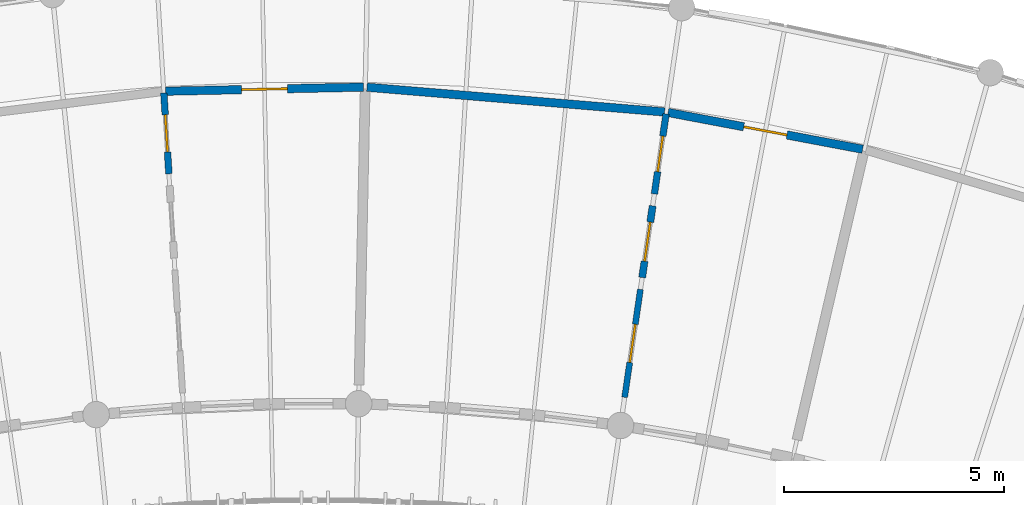
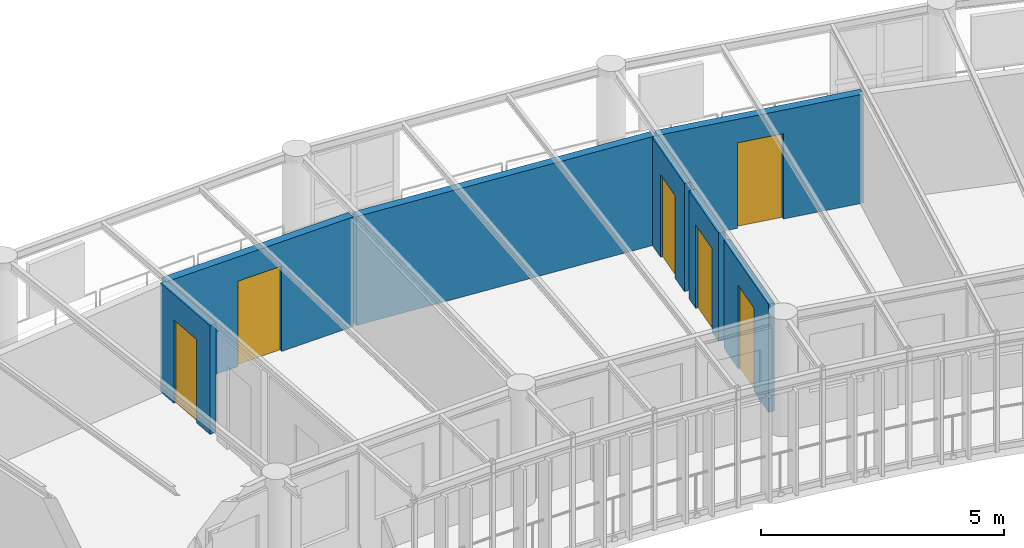
# One storey, part 74 of 100: 7 walls, 6 doors, 6 openings.
"""IFC4 building model written with IfcOpenShell, lengths in metres."""

from ifc_helpers import new_model, si_unit, direction, frame, frame_2d, origin, place, context, subcontext, project, spatial, rectangle, extrude, material, layer, layer_set, type_object, element, fill, save


model = new_model("IFC4")

# Units and contexts
model_context = context("Model", 3, precision=1e-05, world=origin(), true_north=direction((0.0, 1.0)))
body_context = subcontext(model_context, "Body", "Model", "MODEL_VIEW")
ifc_project = project(units=[si_unit("LENGTHUNIT", "METRE"), si_unit("AREAUNIT", "SQUARE_METRE"), si_unit("VOLUMEUNIT", "CUBIC_METRE"), si_unit("PLANEANGLEUNIT", "RADIAN"), si_unit("MASSUNIT", "GRAM", prefix="KILO"), si_unit("POWERUNIT", "WATT"), si_unit("THERMODYNAMICTEMPERATUREUNIT", "KELVIN")], contexts=[model_context])

# Site, building, storey
site_placement = place(None, origin())
site = spatial("IfcSite", under=ifc_project, at=site_placement, CompositionType="ELEMENT")
building_placement = place(site_placement, origin())
building = spatial("IfcBuilding", under=site, at=building_placement, Name="Ruvembo Vaulted Housing Court", CompositionType="ELEMENT")
storey_placement = place(building_placement, frame((0.0, 0.0, 14.10009765625)))
storey = spatial("IfcBuildingStorey", under=building, at=storey_placement, Name="L04", CompositionType="ELEMENT", Elevation=14.10009765625)

# Wall, opening, door
ifc_material_1 = material(Name="Concrete Blockwork 190", Category="masonry")
ifc_layer_1 = layer(ifc_material_1, 0.18994140625, Name="Concrete Blockwork 190")
ifc_layer_set_1 = layer_set([ifc_layer_1], Name="Concrete Blockwork 190")
wall_type_1 = type_object("IfcWallType", Name="WL-CORR-190", PredefinedType="SOLIDWALL", material=ifc_layer_set_1)
wall_1_placement = place(storey_placement, frame((113.605224609375, 105.093994140625, 0.0), z_axis=(0.0, 0.0, 1.0), x_axis=(0.999785356511, 0.020718129879, 0.0)))
wall_1 = element("IfcWall", 1, at=wall_1_placement, inside=storey, type_object=wall_type_1, Name="L04 Suite SC3-L04-U3 Entrance WL-INT-L04-01358", PredefinedType="SOLIDWALL", context=body_context, shape_type="SweptSolid", body=[
    extrude(rectangle(XDim=4.50146484375, YDim=0.18994140625, at=frame_2d((2.250732421875, 0.0))), origin(), (0.0, 0.0, 1.0), 2.761962890625),
])
opening_1_placement = place(wall_1_placement, frame((1.7255859375, 0.0, 0.0)))
opening_1 = element("IfcOpeningElement", 2, at=opening_1_placement, cuts=wall_1, Name="Opening FD3", PredefinedType="OPENING", context=body_context, shape_type="SweptSolid", body=[
    extrude(rectangle(XDim=1.050048828125, YDim=2.14990234375, at=frame_2d((0.52490234375, 1.074951171875))), frame((0.0, 0.10498046875, 0.0), z_axis=(0.0, -1.0, 0.0), x_axis=(1.0, 0.0, 0.0)), (0.0, 0.0, 1.0), 0.2099609375),
])
ifc_material_2 = material(Name="FSC Hardwood and Engineered Timber", Category="wood")
door_type_1 = type_object("IfcDoorType", Name="DR-FLAT-1050x2150", OperationType="NOTDEFINED", PredefinedType="DOOR", material=ifc_material_2)
door_1_placement = place(opening_1_placement, origin())
door_1 = element("IfcDoor", 3, at=door_1_placement, inside=storey, type_object=door_type_1, Name="L04 Suite SC3-L04-U3 Entrance Door DR-INT-L04-00764", OperationType="SINGLE_SWING_RIGHT", OverallHeight=2.14990234375, OverallWidth=1.050048828125, PredefinedType="DOOR", context=body_context, shape_type="SweptSolid", body=[
    extrude(rectangle(XDim=1.050048828125, YDim=2.14990234375, at=frame_2d((0.52490234375, 1.074951171875))), frame((0.0, 0.02490234375, 0.0), z_axis=(0.0, -1.0, 0.0), x_axis=(1.0, 0.0, 0.0)), (0.0, 0.0, 1.0), 0.050048828125),
])
fill(opening_1, door_1)

# Wall
wall_2_placement = place(storey_placement, frame((118.185546875, 105.184814453125, 0.0), z_axis=(0.0, 0.0, 1.0), x_axis=(0.996556165996, -0.082920492126, 0.0)))
element("IfcWall", 4, at=wall_2_placement, inside=storey, type_object=wall_type_1, Name="L04 Suite SC3-L04-U4 Gallery Wall WL-INT-L04-01363", PredefinedType="SOLIDWALL", context=body_context, shape_type="SweptSolid", body=[
    extrude(rectangle(XDim=6.78955078125, YDim=0.18994140625, at=frame_2d((3.394775390625, 0.0))), origin(), (0.0, 0.0, 1.0), 2.741943359375),
])

# Wall, opening, door
wall_3_placement = place(storey_placement, frame((125.031005859375, 104.611083984375, 0.0), z_axis=(0.0, 0.0, 1.0), x_axis=(0.982595404078, -0.18575863879, 0.0)))
wall_3 = element("IfcWall", 5, at=wall_3_placement, inside=storey, type_object=wall_type_1, Name="L04 Suite SC3-L04-U4 Entrance WL-INT-L04-01364", PredefinedType="SOLIDWALL", context=body_context, shape_type="SweptSolid", body=[
    extrude(rectangle(XDim=4.50146484375, YDim=0.18994140625, at=frame_2d((2.250732421875, 0.0))), origin(), (0.0, 0.0, 1.0), 2.741943359375),
])
opening_2_placement = place(wall_3_placement, frame((1.750732421875, 0.0, 0.0)))
opening_2 = element("IfcOpeningElement", 6, at=opening_2_placement, cuts=wall_3, Name="Opening FD1", PredefinedType="OPENING", context=body_context, shape_type="SweptSolid", body=[
    extrude(rectangle(XDim=1.0, YDim=2.14990234375, at=frame_2d((0.5, 1.074951171875))), frame((0.0, 0.10498046875, 0.0), z_axis=(0.0, -1.0, 0.0), x_axis=(1.0, 0.0, 0.0)), (0.0, 0.0, 1.0), 0.2099609375),
])
door_type_2 = type_object("IfcDoorType", Name="DR-FLAT-1000x2150", OperationType="NOTDEFINED", PredefinedType="DOOR", material=ifc_material_2)
door_2_placement = place(opening_2_placement, origin())
door_2 = element("IfcDoor", 7, at=door_2_placement, inside=storey, type_object=door_type_2, Name="L04 Suite SC3-L04-U4 Entrance Door DR-INT-L04-00768", OperationType="SINGLE_SWING_RIGHT", OverallHeight=2.14990234375, OverallWidth=1.0, PredefinedType="DOOR", context=body_context, shape_type="SweptSolid", body=[
    extrude(rectangle(XDim=1.0, YDim=2.14990234375, at=frame_2d((0.5, 1.074951171875))), frame((0.0, 0.02490234375, 0.0), z_axis=(0.0, -1.0, 0.0), x_axis=(1.0, 0.0, 0.0)), (0.0, 0.0, 1.0), 0.050048828125),
])
fill(opening_2, door_2)

ifc_material_3 = material(Name="Acoustic Stud Partition 135", Category="gypsum")
ifc_layer_2 = layer(ifc_material_3, 0.135009765625, Name="Acoustic Stud Partition 135")
ifc_layer_set_2 = layer_set([ifc_layer_2], Name="Acoustic Stud Partition 135")
wall_type_2 = type_object("IfcWallType", Name="WL-PART-135", PredefinedType="PARTITIONING", material=ifc_layer_set_2)
wall_4_placement = place(storey_placement, frame((124.043212890625, 98.135498046875, 0.0), z_axis=(0.0, 0.0, 1.0), x_axis=(0.1447145522, 0.989473445011, 0.0)))
wall_4 = element("IfcWall", 8, at=wall_4_placement, inside=storey, type_object=wall_type_2, Name="L04 Suite SC3-L04-U4 Bedroom WL-INT-L04-01365", PredefinedType="PARTITIONING", context=body_context, shape_type="SweptSolid", body=[
    extrude(rectangle(XDim=2.47998046875, YDim=0.135009765625, at=frame_2d((1.239990234375, 0.0))), origin(), (0.0, 0.0, 1.0), 2.721923828125),
])
opening_3_placement = place(wall_4_placement, frame((0.800048828125, 0.0, 0.0)))
opening_3 = element("IfcOpeningElement", 9, at=opening_3_placement, cuts=wall_4, Name="Opening ID3", PredefinedType="OPENING", context=body_context, shape_type="SweptSolid", body=[
    extrude(rectangle(XDim=0.8798828125, YDim=2.10009765625, at=frame_2d((0.43994140625, 1.050048828125))), frame((0.0, 0.077392578125, 0.0), z_axis=(0.0, -1.0, 0.0), x_axis=(1.0, 0.0, 0.0)), (0.0, 0.0, 1.0), 0.155029296875),
])
door_type_3 = type_object("IfcDoorType", Name="DR-ROOM-0880x2100", OperationType="NOTDEFINED", PredefinedType="DOOR", material=ifc_material_2)
door_3_placement = place(opening_3_placement, origin())
door_3 = element("IfcDoor", 10, at=door_3_placement, inside=storey, type_object=door_type_3, Name="L04 Suite SC3-L04-U4 Bedroom Door DR-INT-L04-00769", OperationType="SINGLE_SWING_LEFT", OverallHeight=2.10009765625, OverallWidth=0.8798828125, PredefinedType="DOOR", context=body_context, shape_type="SweptSolid", body=[
    extrude(rectangle(XDim=0.8798828125, YDim=2.10009765625, at=frame_2d((0.43994140625, 1.050048828125))), frame((0.0, 0.02490234375, 0.0), z_axis=(0.0, -1.0, 0.0), x_axis=(1.0, 0.0, 0.0)), (0.0, 0.0, 1.0), 0.050048828125),
])
fill(opening_3, door_3)

ifc_material_4 = material(Name="Moisture-Resistant Wet Partition 150", Category="gypsum")
ifc_layer_3 = layer(ifc_material_4, 0.14990234375, Name="Moisture-Resistant Wet Partition 150")
ifc_layer_set_3 = layer_set([ifc_layer_3], Name="Moisture-Resistant Wet Partition 150")
wall_type_3 = type_object("IfcWallType", Name="WL-PART-150", PredefinedType="PARTITIONING", material=ifc_layer_set_3)
wall_5_placement = place(storey_placement, frame((113.68212890625, 103.216796875, 0.0), z_axis=(0.0, 0.0, 1.0), x_axis=(-0.062229594869, 0.998061860569, 0.0)))
wall_5 = element("IfcWall", 11, at=wall_5_placement, inside=storey, type_object=wall_type_3, Name="L04 Suite SC3-L04-U3 Bathroom WL-INT-L04-01361", PredefinedType="PARTITIONING", context=body_context, shape_type="SweptSolid", body=[
    extrude(rectangle(XDim=1.840087890625, YDim=0.14990234375, at=frame_2d((0.919921875, 0.0))), origin(), (0.0, 0.0, 1.0), 2.741943359375),
])
opening_4_placement = place(wall_5_placement, frame((0.4951171875, 0.0, 0.0)))
opening_4 = element("IfcOpeningElement", 12, at=opening_4_placement, cuts=wall_5, Name="Opening ID2", PredefinedType="OPENING", context=body_context, shape_type="SweptSolid", body=[
    extrude(rectangle(XDim=0.85009765625, YDim=2.10009765625, at=frame_2d((0.425048828125, 1.050048828125))), frame((0.0, 0.0849609375, 0.0), z_axis=(0.0, -1.0, 0.0), x_axis=(1.0, 0.0, 0.0)), (0.0, 0.0, 1.0), 0.169921875),
])
door_type_4 = type_object("IfcDoorType", Name="DR-WET-0850x2100", OperationType="NOTDEFINED", PredefinedType="DOOR", material=ifc_material_2)
door_4_placement = place(opening_4_placement, origin())
door_4 = element("IfcDoor", 13, at=door_4_placement, inside=storey, type_object=door_type_4, Name="L04 Suite SC3-L04-U3 Bathroom Door DR-INT-L04-00767", OperationType="SINGLE_SWING_LEFT", OverallHeight=2.10009765625, OverallWidth=0.85009765625, PredefinedType="DOOR", context=body_context, shape_type="SweptSolid", body=[
    extrude(rectangle(XDim=0.85009765625, YDim=2.10009765625, at=frame_2d((0.425048828125, 1.050048828125))), frame((0.0, 0.02490234375, 0.0), z_axis=(0.0, -1.0, 0.0), x_axis=(1.0, 0.0, 0.0)), (0.0, 0.0, 1.0), 0.050048828125),
])
fill(opening_4, door_4)

wall_6_placement = place(storey_placement, frame((124.719482421875, 102.75830078125, 0.0), z_axis=(0.0, 0.0, 1.0), x_axis=(0.144764326796, 0.989466163993, 0.0)))
wall_6 = element("IfcWall", 14, at=wall_6_placement, inside=storey, type_object=wall_type_3, Name="L04 Suite SC3-L04-U4 Bathroom WL-INT-L04-01367", PredefinedType="PARTITIONING", context=body_context, shape_type="SweptSolid", body=[
    extrude(rectangle(XDim=1.83984375, YDim=0.14990234375, at=frame_2d((0.919921875, 0.0))), origin(), (0.0, 0.0, 1.0), 2.721923828125),
])
opening_5_placement = place(wall_6_placement, frame((0.510009765625, 0.0, 0.0)))
opening_5 = element("IfcOpeningElement", 15, at=opening_5_placement, cuts=wall_6, Name="Opening ID4", PredefinedType="OPENING", context=body_context, shape_type="SweptSolid", body=[
    extrude(rectangle(XDim=0.820068359375, YDim=2.080078125, at=frame_2d((0.41015625, 1.0400390625))), frame((0.0, 0.0849609375, 0.0), z_axis=(0.0, -1.0, 0.0), x_axis=(1.0, 0.0, 0.0)), (0.0, 0.0, 1.0), 0.169921875),
])
door_type_5 = type_object("IfcDoorType", Name="DR-WET-0820x2080", OperationType="NOTDEFINED", PredefinedType="DOOR", material=ifc_material_2)
door_5_placement = place(opening_5_placement, origin())
door_5 = element("IfcDoor", 16, at=door_5_placement, inside=storey, type_object=door_type_5, Name="L04 Suite SC3-L04-U4 Bathroom Door DR-INT-L04-00771", OperationType="SINGLE_SWING_LEFT", OverallHeight=2.080078125, OverallWidth=0.820068359375, PredefinedType="DOOR", context=body_context, shape_type="SweptSolid", body=[
    extrude(rectangle(XDim=0.820068359375, YDim=2.080078125, at=frame_2d((0.41015625, 1.0400390625))), frame((0.0, 0.02490234375, 0.0), z_axis=(0.0, -1.0, 0.0), x_axis=(1.0, 0.0, 0.0)), (0.0, 0.0, 1.0), 0.050048828125),
])
fill(opening_5, door_5)

ifc_material_5 = material(Name="Acoustic Service Chase Wall 160", Category="gypsum")
ifc_layer_4 = layer(ifc_material_5, 0.159912109375, Name="Acoustic Service Chase Wall 160")
ifc_layer_set_4 = layer_set([ifc_layer_4], Name="Acoustic Service Chase Wall 160")
wall_type_4 = type_object("IfcWallType", Name="WL-PLUMB-160", PredefinedType="PLUMBINGWALL", material=ifc_layer_set_4)
wall_7_placement = place(storey_placement, frame((124.44140625, 100.8583984375, 0.0), z_axis=(0.0, 0.0, 1.0), x_axis=(0.144884079374, 0.989448636132, 0.0)))
wall_7 = element("IfcWall", 17, at=wall_7_placement, inside=storey, type_object=wall_type_4, Name="L04 Suite SC3-L04-U4 Kitchen WL-INT-L04-01366", PredefinedType="PLUMBINGWALL", context=body_context, shape_type="SweptSolid", body=[
    extrude(rectangle(XDim=1.64794921875, YDim=0.159912109375, at=frame_2d((0.823974609375, 0.0))), origin(), (0.0, 0.0, 1.0), 2.721923828125),
])
opening_6_placement = place(wall_7_placement, frame((0.3740234375, 0.0, 0.0)))
opening_6 = element("IfcOpeningElement", 18, at=opening_6_placement, cuts=wall_7, Name="Opening ID1", PredefinedType="OPENING", context=body_context, shape_type="SweptSolid", body=[
    extrude(rectangle(XDim=0.89990234375, YDim=2.10009765625, at=frame_2d((0.449951171875, 1.050048828125))), frame((0.0, 0.08984375, 0.0), z_axis=(0.0, -1.0, 0.0), x_axis=(1.0, 0.0, 0.0)), (0.0, 0.0, 1.0), 0.179931640625),
])
door_type_6 = type_object("IfcDoorType", Name="DR-ROOM-0900x2100", OperationType="NOTDEFINED", PredefinedType="DOOR", material=ifc_material_2)
door_6_placement = place(opening_6_placement, origin())
door_6 = element("IfcDoor", 19, at=door_6_placement, inside=storey, type_object=door_type_6, Name="L04 Suite SC3-L04-U4 Kitchen Door DR-INT-L04-00770", OperationType="SINGLE_SWING_RIGHT", OverallHeight=2.10009765625, OverallWidth=0.89990234375, PredefinedType="DOOR", context=body_context, shape_type="SweptSolid", body=[
    extrude(rectangle(XDim=0.89990234375, YDim=2.10009765625, at=frame_2d((0.449951171875, 1.050048828125))), frame((0.0, 0.02490234375, 0.0), z_axis=(0.0, -1.0, 0.0), x_axis=(1.0, 0.0, 0.0)), (0.0, 0.0, 1.0), 0.050048828125),
])
fill(opening_6, door_6)

save(model, "model.ifc")
